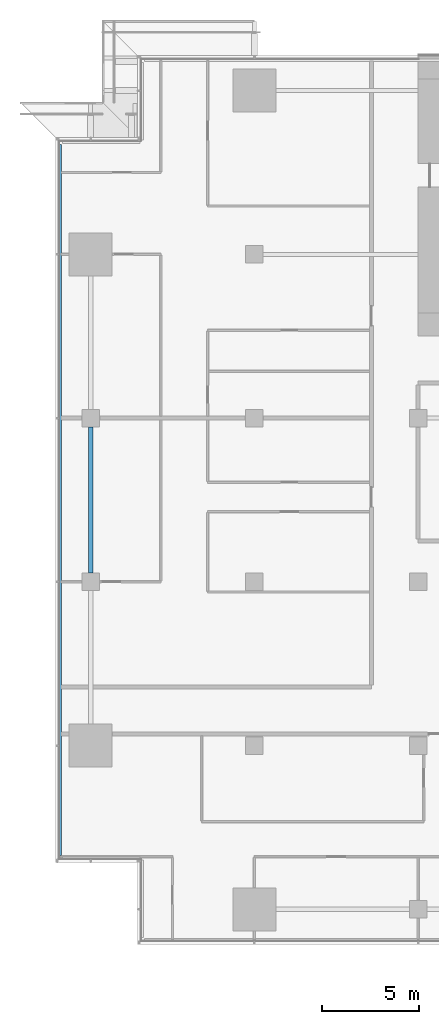
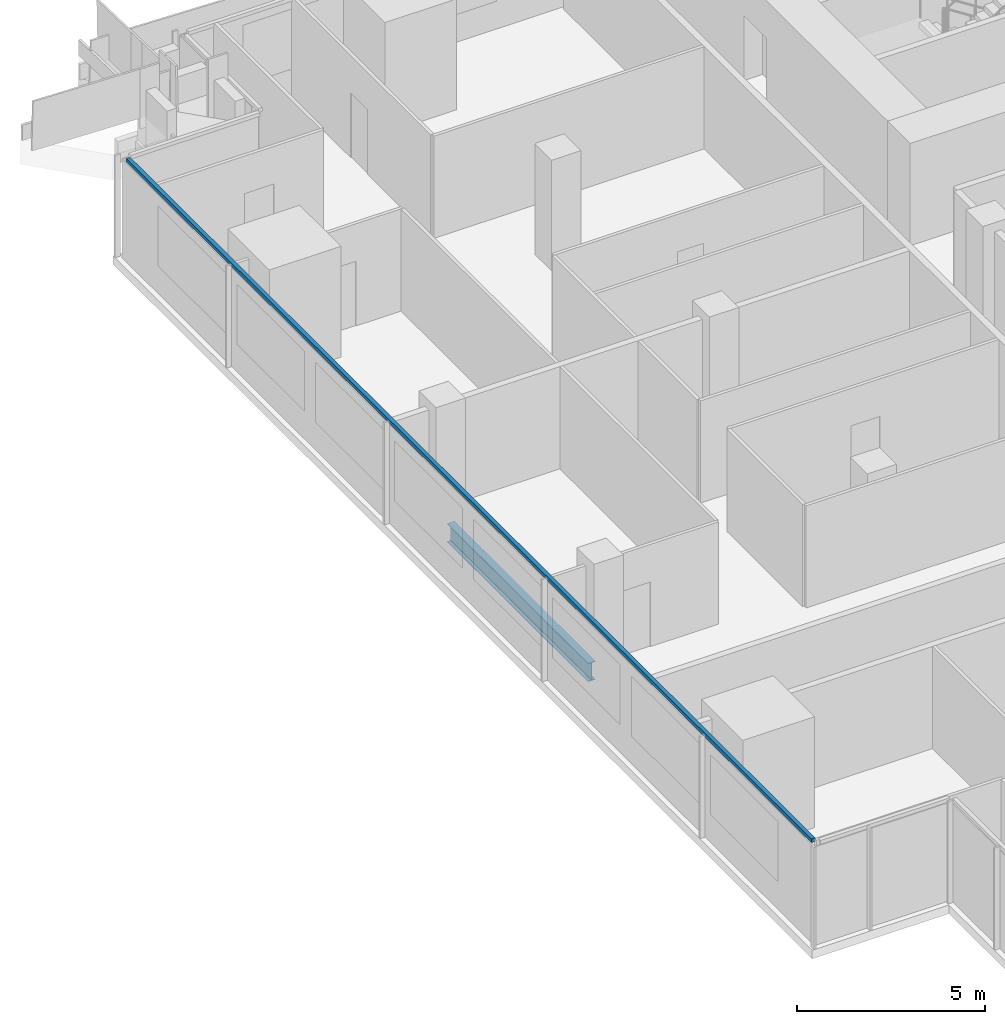
# One storey, part 5 of 30: 1 beam, 1 member, 1 element without a shape of its own.
"""IFC4 building model written with IfcOpenShell, lengths in metres."""

from ifc_helpers import new_model, si_unit, direction, frame, origin, origin_2d, place, context, subcontext, project, spatial, rectangle, i_section, extrude, material, material_profile, profile_set, type_object, element, aggregate, save


model = new_model("IFC4")

# Units and contexts
model_context = context("Model", 3, precision=1e-05, world=origin(), true_north=direction((0.0, 1.0)))
body_context = subcontext(model_context, "Body", "Model", "MODEL_VIEW")
ifc_project = project(units=[si_unit("LENGTHUNIT", "METRE"), si_unit("AREAUNIT", "SQUARE_METRE"), si_unit("VOLUMEUNIT", "CUBIC_METRE"), si_unit("PLANEANGLEUNIT", "RADIAN"), si_unit("MASSUNIT", "GRAM", prefix="KILO")], contexts=[model_context])

# Site, building, storey
site_placement = place(None, origin())
site = spatial("IfcSite", under=ifc_project, at=site_placement, CompositionType="ELEMENT")
building_placement = place(site_placement, origin())
building = spatial("IfcBuilding", under=site, at=building_placement, Name="Saffron Gate Tower", CompositionType="ELEMENT")
storey_placement = place(building_placement, frame((0.0, 0.0, 69.60009765625)))
storey = spatial("IfcBuildingStorey", under=building, at=storey_placement, Name="L16", CompositionType="ELEMENT", Elevation=69.60009765625)

# Beam
ifc_material_1 = material(Name="Structural steel S355", Category="steel")
ifc_material_profile_1 = material_profile(ifc_material_1, i_section(OverallWidth=0.219970703125, OverallDepth=0.60009765625, WebThickness=0.011962890625, FlangeThickness=0.01904296875, FilletRadius=0.02392578125, at=origin_2d()))
ifc_profile_set_1 = profile_set([ifc_material_profile_1], Name="Structural steel S355")
beam_type = type_object("IfcBeamType", Name="B16 IPE 600", PredefinedType="SPANDREL", material=ifc_profile_set_1)
beam_placement = place(storey_placement, frame((49.800048828125, 49.050048828125, -0.580078125), z_axis=(0.0, 1.0, 0.0), x_axis=(-1.0, 0.0, 0.0)))
element("IfcBeam", 1, at=beam_placement, inside=storey, type_object=beam_type, Name="B16 SPANDREL BEAM", PredefinedType="SPANDREL", context=body_context, shape_type="SweptSolid", body=[
    extrude(i_section(OverallWidth=0.219970703125, OverallDepth=0.60009765625, WebThickness=0.011962890625, FlangeThickness=0.01904296875, FilletRadius=0.02392578125, at=origin_2d()), origin(), (0.0, 0.0, 1.0), 7.5),
])

# Curtain wall, member
ifc_material_2 = material(Name="Aluminium, bronze anodised", Category="aluminium")
curtain_wall_type = type_object("IfcCurtainWallType", Name="CWS2 curtain wall side facades", PredefinedType="NOTDEFINED", material=ifc_material_2)
curtain_wall_placement = place(storey_placement, origin())
curtain_wall = element("IfcCurtainWall", 2, at=curtain_wall_placement, inside=storey, type_object=curtain_wall_type, Name="CWS2 run 10", PredefinedType="NOTDEFINED")
ifc_material_profile_2 = material_profile(ifc_material_2, rectangle(XDim=0.1201171875, YDim=0.1201171875, at=origin_2d()))
ifc_profile_set_2 = profile_set([ifc_material_profile_2], Name="Aluminium, bronze anodised")
member_type = type_object("IfcMemberType", Name="CWS2 head transom", PredefinedType="USERDEFINED", material=ifc_profile_set_2)
member_placement = place(storey_placement, frame((48.248046875, 71.031982421875, 3.260009765625), z_axis=(0.0, -1.0, 0.0), x_axis=(1.0, 0.0, 0.0)))
member = element("IfcMember", 3, at=member_placement, type_object=member_type, Name="CWS2 head transom", ObjectType="TRANSOM", PredefinedType="USERDEFINED", context=body_context, shape_type="SweptSolid", body=[
    extrude(rectangle(XDim=0.1201171875, YDim=0.1201171875, at=origin_2d()), origin(), (0.0, 0.0, 1.0), 36.4638671875),
])
aggregate(curtain_wall, [member])

save(model, "model.ifc")
